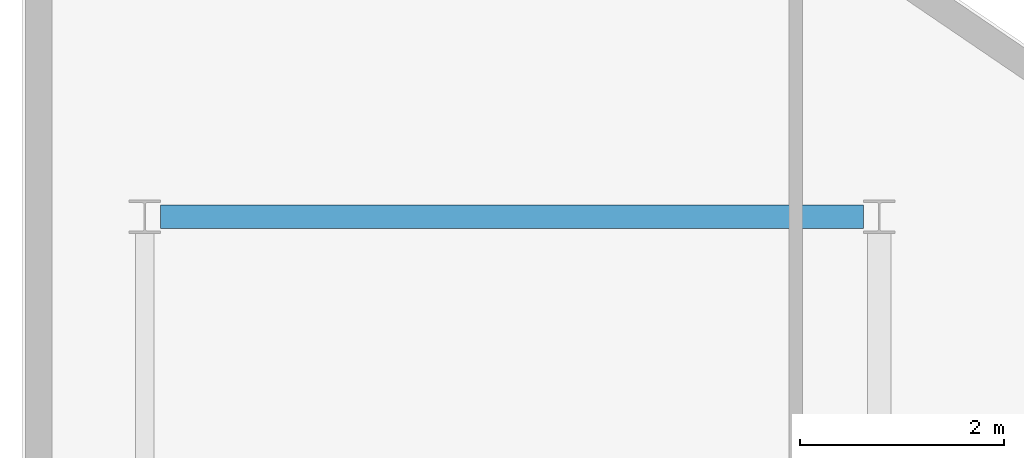
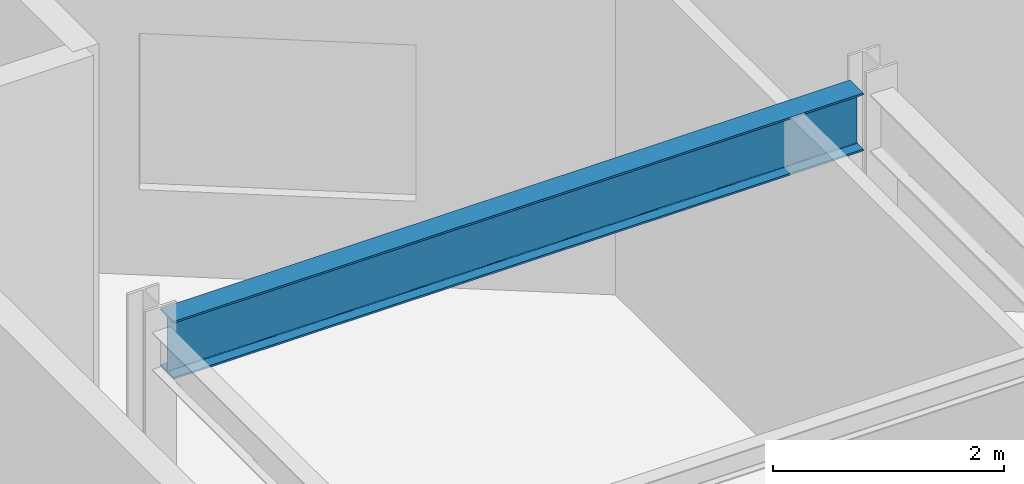
# One storey, part 10 of 21: 1 beam.
"""IFC4 building model written with IfcOpenShell, lengths in metres."""

from ifc_helpers import new_model, si_unit, direction, frame, origin, origin_2d, place, context, subcontext, project, spatial, i_section, extrude, material, material_profile, profile_set, type_object, element, save


model = new_model("IFC4")

# Units and contexts
model_context = context("Model", 3, precision=1e-05, world=origin(), true_north=direction((0.0, 1.0)))
body_context = subcontext(model_context, "Body", "Model", "MODEL_VIEW")
ifc_project = project(units=[si_unit("LENGTHUNIT", "METRE"), si_unit("AREAUNIT", "SQUARE_METRE"), si_unit("VOLUMEUNIT", "CUBIC_METRE"), si_unit("PLANEANGLEUNIT", "RADIAN"), si_unit("MASSUNIT", "GRAM", prefix="KILO")], contexts=[model_context])

# Site, building, storey
site_placement = place(None, origin())
site = spatial("IfcSite", under=ifc_project, at=site_placement, CompositionType="ELEMENT")
building_placement = place(site_placement, origin())
building = spatial("IfcBuilding", under=site, at=building_placement, Name="Varnakote Quay Hospital", CompositionType="ELEMENT")
storey_placement = place(building_placement, frame((0.0, 0.0, 77.800048828125)))
storey = spatial("IfcBuildingStorey", under=building, at=storey_placement, Name="L19", CompositionType="ELEMENT", Elevation=77.800048828125)

# Beam
ifc_material = material(Name="Structural steel AS/NZS 3679.1 Grade 350 L0 (fy 340 MPa)", Category="steel")
ifc_material_profile = material_profile(ifc_material, i_section(OverallWidth=0.22900390625, OverallDepth=0.612060546875, WebThickness=0.011962890625, FlangeThickness=0.01953125, FilletRadius=0.013916015625, at=origin_2d()), Name="610UB125")
ifc_profile_set = profile_set([ifc_material_profile], Name="Structural steel AS/NZS 3679.1 Grade 350 L0 (fy 340 MPa)")
beam_type = type_object("IfcBeamType", Name="BM-STL-610UB125", PredefinedType="BEAM", material=ifc_profile_set)
beam_placement = place(storey_placement, frame((1.35546875, 37.199951171875, 3.404052734375), z_axis=(1.0, 0.0, 0.0), x_axis=(0.0, 1.0, 0.0)))
element("IfcBeam", 1, at=beam_placement, inside=storey, type_object=beam_type, Name="L19 Primary Floor Beam", PredefinedType="BEAM", context=body_context, shape_type="SweptSolid", body=[
    extrude(i_section(OverallWidth=0.22900390625, OverallDepth=0.612060546875, WebThickness=0.011962890625, FlangeThickness=0.01953125, FilletRadius=0.013916015625, at=origin_2d()), origin(), (0.0, 0.0, 1.0), 6.888916015625),
])

save(model, "model.ifc")
